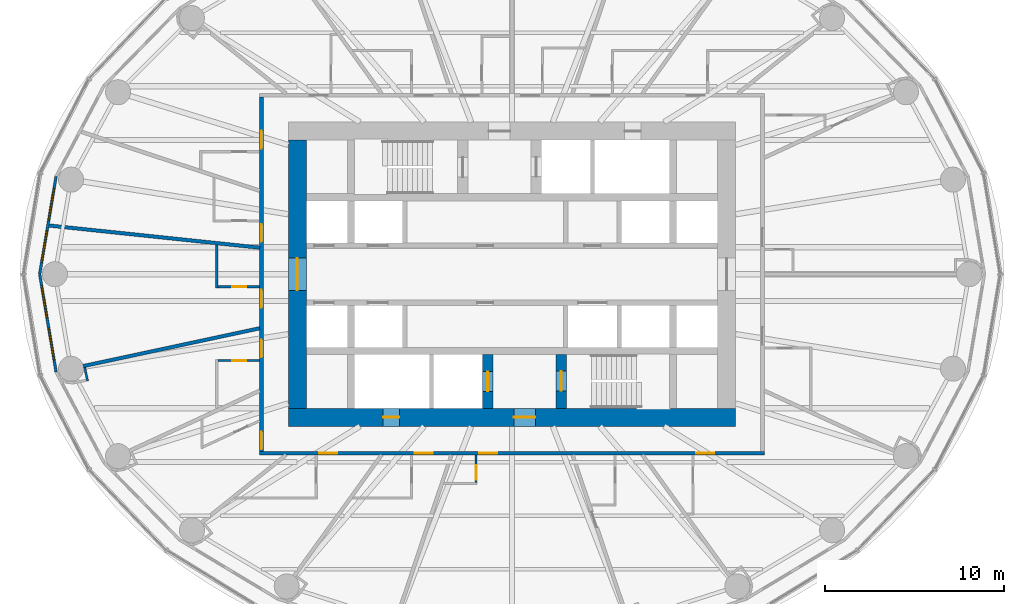
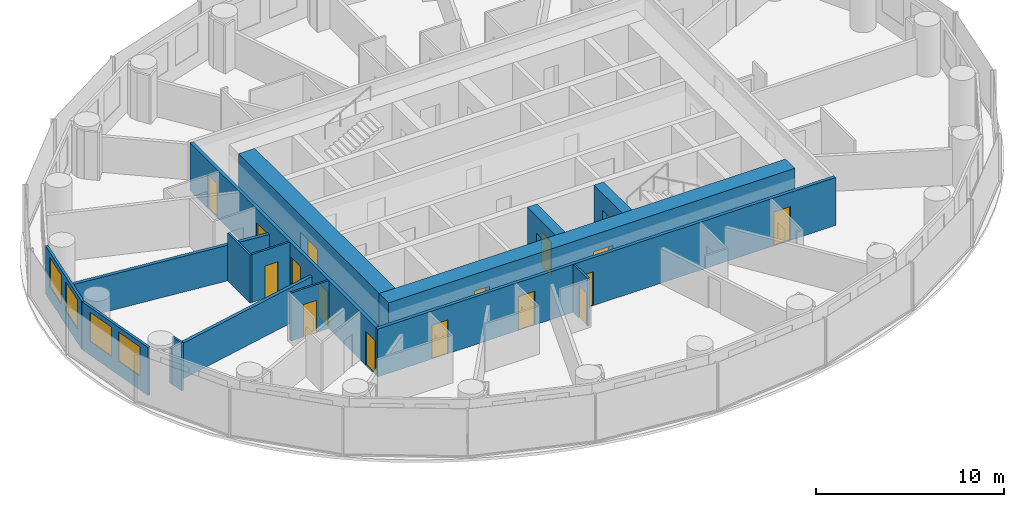
# One storey, part 7 of 13: 17 doors, 15 walls, 4 windows, 21 openings.
"""IFC4 building model written with IfcOpenShell, lengths in metres."""

from ifc_helpers import new_model, si_unit, direction, frame, frame_2d, origin, place, context, subcontext, project, spatial, rectangle, extrude, material, layer, layer_set, type_object, element, fill, save


model = new_model("IFC4")

# Units and contexts
model_context = context("Model", 3, precision=1e-05, world=origin(), true_north=direction((0.0, 1.0)))
body_context = subcontext(model_context, "Body", "Model", "MODEL_VIEW")
ifc_project = project(units=[si_unit("LENGTHUNIT", "METRE"), si_unit("AREAUNIT", "SQUARE_METRE"), si_unit("VOLUMEUNIT", "CUBIC_METRE"), si_unit("PLANEANGLEUNIT", "RADIAN"), si_unit("MASSUNIT", "GRAM", prefix="KILO")], contexts=[model_context])

# Site, building, storey
site_placement = place(None, origin())
site = spatial("IfcSite", under=ifc_project, at=site_placement, CompositionType="ELEMENT")
building_placement = place(site_placement, origin())
building = spatial("IfcBuilding", under=site, at=building_placement, Name="Hankou Lantern Tower", CompositionType="ELEMENT")
storey_placement = place(building_placement, frame((0.0, 0.0, 83.699951171875)))
storey = spatial("IfcBuildingStorey", under=building, at=storey_placement, Name="L21", CompositionType="ELEMENT", Elevation=83.699951171875)

# Wall, openings, doors
ifc_material_1 = material(Name="Concrete C60", Category="concrete")
ifc_layer_1 = layer(ifc_material_1, 1.0)
ifc_layer_set_1 = layer_set([ifc_layer_1], Name="Concrete C60")
wall_type_1 = type_object("IfcWallType", Name="CW1 CORE WALL 1000", PredefinedType="SHEAR", material=ifc_layer_set_1)
wall_1_placement = place(storey_placement, frame((12.5, -8.0, 0.0), z_axis=(0.0, 0.0, 1.0), x_axis=(-1.0, 0.0, 0.0)))
wall_1 = element("IfcWall", 1, at=wall_1_placement, inside=storey, type_object=wall_type_1, Name="Core wall south L21", PredefinedType="SHEAR", context=body_context, shape_type="SweptSolid", body=[
    extrude(rectangle(XDim=25.0, YDim=1.0, at=frame_2d((12.5, 0.0))), origin(), (0.0, 0.0, 1.0), 3.300048828125),
])
opening_1_placement = place(wall_1_placement, frame((11.199951171875, 0.0, 0.0)))
opening_1 = element("IfcOpeningElement", 2, at=opening_1_placement, cuts=wall_1, Name="Opening D5", PredefinedType="OPENING", context=body_context, shape_type="SweptSolid", body=[
    extrude(rectangle(XDim=1.199951171875, YDim=2.199951171875, at=frame_2d((0.60009765625, 1.10009765625))), frame((0.0, 0.510009765625, 0.0), z_axis=(0.0, -1.0, 0.0), x_axis=(1.0, 0.0, 0.0)), (0.0, 0.0, 1.0), 1.02001953125),
])
opening_2_placement = place(wall_1_placement, frame((18.800048828125, 0.0, 0.0)))
opening_2 = element("IfcOpeningElement", 3, at=opening_2_placement, cuts=wall_1, Name="Opening D7", PredefinedType="OPENING", context=body_context, shape_type="SweptSolid", body=[
    extrude(rectangle(XDim=0.89990234375, YDim=2.199951171875, at=frame_2d((0.449951171875, 1.10009765625))), frame((0.0, 0.510009765625, 0.0), z_axis=(0.0, -1.0, 0.0), x_axis=(1.0, 0.0, 0.0)), (0.0, 0.0, 1.0), 1.02001953125),
])
ifc_material_2 = material(Name="Steel door leaf", Category="steel")
door_type_1 = type_object("IfcDoorType", Name="D5 STAIR LOBBY DOOR 1200X2200", OperationType="SINGLE_SWING_LEFT", PredefinedType="DOOR", material=ifc_material_2)
door_1_placement = place(opening_1_placement, origin())
door_1 = element("IfcDoor", 4, at=door_1_placement, inside=storey, type_object=door_type_1, Name="Stair B lobby door", OperationType="SINGLE_SWING_LEFT", OverallHeight=2.199951171875, OverallWidth=1.199951171875, PredefinedType="DOOR", context=body_context, shape_type="SweptSolid", body=[
    extrude(rectangle(XDim=1.199951171875, YDim=2.199951171875, at=frame_2d((0.60009765625, 1.10009765625))), frame((0.0, 0.02490234375, 0.0), z_axis=(0.0, -1.0, 0.0), x_axis=(1.0, 0.0, 0.0)), (0.0, 0.0, 1.0), 0.050048828125),
])
fill(opening_1, door_1)
ifc_material_3 = material(Name="Steel door leaf", Category="steel")
door_type_2 = type_object("IfcDoorType", Name="D7 RISER DOOR 900X2200", OperationType="SINGLE_SWING_LEFT", PredefinedType="DOOR", material=ifc_material_3)
door_2_placement = place(opening_2_placement, origin())
door_2 = element("IfcDoor", 5, at=door_2_placement, inside=storey, type_object=door_type_2, Name="Riser S1 door", OperationType="SINGLE_SWING_RIGHT", OverallHeight=2.199951171875, OverallWidth=0.89990234375, PredefinedType="DOOR", context=body_context, shape_type="SweptSolid", body=[
    extrude(rectangle(XDim=0.89990234375, YDim=2.199951171875, at=frame_2d((0.449951171875, 1.10009765625))), frame((0.0, 0.02490234375, 0.0), z_axis=(0.0, -1.0, 0.0), x_axis=(1.0, 0.0, 0.0)), (0.0, 0.0, 1.0), 0.050048828125),
])
fill(opening_2, door_2)

# Wall, opening, door
wall_2_placement = place(storey_placement, frame((-12.0, 7.5, 0.0), z_axis=(0.0, 0.0, 1.0), x_axis=(0.0, -1.0, 0.0)))
wall_2 = element("IfcWall", 6, at=wall_2_placement, inside=storey, type_object=wall_type_1, Name="Core wall west L21", PredefinedType="SHEAR", context=body_context, shape_type="SweptSolid", body=[
    extrude(rectangle(XDim=15.0, YDim=1.0, at=frame_2d((7.5, 0.0))), origin(), (0.0, 0.0, 1.0), 3.300048828125),
])
opening_3_placement = place(wall_2_placement, frame((6.60009765625, 0.0, 0.0)))
opening_3 = element("IfcOpeningElement", 7, at=opening_3_placement, cuts=wall_2, Name="Opening D6", PredefinedType="OPENING", context=body_context, shape_type="SweptSolid", body=[
    extrude(rectangle(XDim=1.800048828125, YDim=2.199951171875, at=frame_2d((0.89990234375, 1.10009765625))), frame((0.0, 0.510009765625, 0.0), z_axis=(0.0, -1.0, 0.0), x_axis=(1.0, 0.0, 0.0)), (0.0, 0.0, 1.0), 1.02001953125),
])
ifc_material_4 = material(Name="Steel door leaf", Category="steel")
door_type_3 = type_object("IfcDoorType", Name="D6 LIFT LOBBY DOOR 1800X2200", OperationType="DOUBLE_DOOR_DOUBLE_SWING", PredefinedType="DOOR", material=ifc_material_4)
door_3_placement = place(opening_3_placement, origin())
door_3 = element("IfcDoor", 8, at=door_3_placement, inside=storey, type_object=door_type_3, Name="Lift lobby west door", OperationType="DOUBLE_DOOR_DOUBLE_SWING", OverallHeight=2.199951171875, OverallWidth=1.800048828125, PredefinedType="DOOR", context=body_context, shape_type="SweptSolid", body=[
    extrude(rectangle(XDim=1.800048828125, YDim=2.199951171875, at=frame_2d((0.89990234375, 1.10009765625))), frame((0.0, 0.02490234375, 0.0), z_axis=(0.0, -1.0, 0.0), x_axis=(1.0, 0.0, 0.0)), (0.0, 0.0, 1.0), 0.050048828125),
])
fill(opening_3, door_3)

ifc_material_5 = material(Name="Concrete C60", Category="concrete")
ifc_layer_2 = layer(ifc_material_5, 0.60009765625)
ifc_layer_set_2 = layer_set([ifc_layer_2], Name="Concrete C60")
wall_type_2 = type_object("IfcWallType", Name="CW6 STAIR AND SHAFT WALL 600", PredefinedType="SHEAR", material=ifc_layer_set_2)
wall_3_placement = place(storey_placement, frame((2.75, -7.5, 0.0), z_axis=(0.0, 0.0, 1.0), x_axis=(0.0, 1.0, 0.0)))
wall_3 = element("IfcWall", 9, at=wall_3_placement, inside=storey, type_object=wall_type_2, Name="Stair wall L21", PredefinedType="SHEAR", context=body_context, shape_type="SweptSolid", body=[
    extrude(rectangle(XDim=3.0, YDim=0.60009765625, at=frame_2d((1.5, 0.0))), origin(), (0.0, 0.0, 1.0), 3.300048828125),
])
opening_4_placement = place(wall_3_placement, frame((0.97509765625, 0.0, 0.0)))
opening_4 = element("IfcOpeningElement", 10, at=opening_4_placement, cuts=wall_3, Name="Opening D4", PredefinedType="OPENING", context=body_context, shape_type="SweptSolid", body=[
    extrude(rectangle(XDim=1.10009765625, YDim=2.199951171875, at=frame_2d((0.550048828125, 1.10009765625))), frame((0.0, 0.31005859375, 0.0), z_axis=(0.0, -1.0, 0.0), x_axis=(1.0, 0.0, 0.0)), (0.0, 0.0, 1.0), 0.6201171875),
])
ifc_material_6 = material(Name="Steel door leaf", Category="steel")
door_type_4 = type_object("IfcDoorType", Name="D4 STAIR DOOR 1100X2200", OperationType="SINGLE_SWING_LEFT", PredefinedType="DOOR", material=ifc_material_6)
door_4_placement = place(opening_4_placement, origin())
door_4 = element("IfcDoor", 11, at=door_4_placement, inside=storey, type_object=door_type_4, Name="Stair B door", OperationType="SINGLE_SWING_RIGHT", OverallHeight=2.199951171875, OverallWidth=1.10009765625, PredefinedType="DOOR", context=body_context, shape_type="SweptSolid", body=[
    extrude(rectangle(XDim=1.10009765625, YDim=2.199951171875, at=frame_2d((0.550048828125, 1.10009765625))), frame((0.0, 0.02490234375, 0.0), z_axis=(0.0, -1.0, 0.0), x_axis=(1.0, 0.0, 0.0)), (0.0, 0.0, 1.0), 0.050048828125),
])
fill(opening_4, door_4)

wall_4_placement = place(storey_placement, frame((-1.35009765625, -7.5, 0.0), z_axis=(0.0, 0.0, 1.0), x_axis=(0.0, 1.0, 0.0)))
wall_4 = element("IfcWall", 12, at=wall_4_placement, inside=storey, type_object=wall_type_2, Name="Firefighting lift shaft wall L21", PredefinedType="SHEAR", context=body_context, shape_type="SweptSolid", body=[
    extrude(rectangle(XDim=3.0, YDim=0.60009765625, at=frame_2d((1.5, 0.0))), origin(), (0.0, 0.0, 1.0), 3.300048828125),
])
opening_5_placement = place(wall_4_placement, frame((0.949951171875, 0.0, 0.0)))
opening_5 = element("IfcOpeningElement", 13, at=opening_5_placement, cuts=wall_4, Name="Opening LD2", PredefinedType="OPENING", context=body_context, shape_type="SweptSolid", body=[
    extrude(rectangle(XDim=1.10009765625, YDim=2.199951171875, at=frame_2d((0.550048828125, 1.10009765625))), frame((0.0, 0.31005859375, 0.0), z_axis=(0.0, -1.0, 0.0), x_axis=(1.0, 0.0, 0.0)), (0.0, 0.0, 1.0), 0.6201171875),
])
ifc_material_7 = material(Name="Steel door leaf", Category="steel")
door_type_5 = type_object("IfcDoorType", Name="LD2 FIREFIGHTING LIFT LANDING DOOR 1100X2200", OperationType="DOUBLE_DOOR_SLIDING", PredefinedType="DOOR", material=ifc_material_7)
door_5_placement = place(opening_5_placement, origin())
door_5 = element("IfcDoor", 14, at=door_5_placement, inside=storey, type_object=door_type_5, Name="Firefighting lift FL2 landing door", OperationType="DOUBLE_DOOR_SLIDING", OverallHeight=2.199951171875, OverallWidth=1.10009765625, PredefinedType="DOOR", context=body_context, shape_type="SweptSolid", body=[
    extrude(rectangle(XDim=1.10009765625, YDim=2.199951171875, at=frame_2d((0.550048828125, 1.10009765625))), frame((0.0, 0.02490234375, 0.0), z_axis=(0.0, -1.0, 0.0), x_axis=(1.0, 0.0, 0.0)), (0.0, 0.0, 1.0), 0.050048828125),
])
fill(opening_5, door_5)

# Wall, openings, windows
ifc_material_8 = material(Name="Aluminium spandrel panel on steel studs", Category="steel")
ifc_layer_3 = layer(ifc_material_8, 0.14990234375)
ifc_layer_set_3 = layer_set([ifc_layer_3], Name="Aluminium spandrel panel on steel studs")
wall_type_3 = type_object("IfcWallType", Name="EW1 INNER SKIN WALL 150", PredefinedType="ELEMENTEDWALL", material=ifc_layer_set_3)
wall_5_placement = place(storey_placement, frame((-25.482421875, 5.46240234375, 0.0), z_axis=(0.0, 0.0, 1.0), x_axis=(-0.165642551694, -0.986185857264, 0.0)))
wall_5 = element("IfcWall", 15, at=wall_5_placement, inside=storey, type_object=wall_type_3, Name="Inner skin R12-R13 L21", PredefinedType="ELEMENTEDWALL", context=body_context, shape_type="SweptSolid", body=[
    extrude(rectangle(XDim=5.538818359375, YDim=0.14990234375, at=frame_2d((2.76953125, 0.0))), origin(), (0.0, 0.0, 1.0), 3.1201171875),
])
opening_6_placement = place(wall_5_placement, frame((0.66943359375, 0.0, 0.89990234375)))
opening_6 = element("IfcOpeningElement", 16, at=opening_6_placement, cuts=wall_5, Name="Opening W1", PredefinedType="OPENING", context=body_context, shape_type="SweptSolid", body=[
    extrude(rectangle(XDim=1.800048828125, YDim=1.89990234375, at=frame_2d((0.89990234375, 0.949951171875))), frame((0.0, 0.0849609375, 0.0), z_axis=(0.0, -1.0, 0.0), x_axis=(1.0, 0.0, 0.0)), (0.0, 0.0, 1.0), 0.169921875),
])
opening_7_placement = place(wall_5_placement, frame((3.069580078125, 0.0, 0.89990234375)))
opening_7 = element("IfcOpeningElement", 17, at=opening_7_placement, cuts=wall_5, Name="Opening W1", PredefinedType="OPENING", context=body_context, shape_type="SweptSolid", body=[
    extrude(rectangle(XDim=1.800048828125, YDim=1.89990234375, at=frame_2d((0.89990234375, 0.949951171875))), frame((0.0, 0.0849609375, 0.0), z_axis=(0.0, -1.0, 0.0), x_axis=(1.0, 0.0, 0.0)), (0.0, 0.0, 1.0), 0.169921875),
])
ifc_material_9 = material(Name="Aluminium framed double glazed window", Category="aluminium")
window_type = type_object("IfcWindowType", Name="W1 GUEST ROOM WINDOW 1800X1900", PartitioningType="DOUBLE_PANEL_VERTICAL", PredefinedType="WINDOW", material=ifc_material_9)
window_1_placement = place(opening_6_placement, origin())
window_1 = element("IfcWindow", 18, at=window_1_placement, inside=storey, type_object=window_type, Name="Window R12.1 L21", OverallHeight=1.89990234375, OverallWidth=1.800048828125, PartitioningType="SINGLE_PANEL", PredefinedType="WINDOW", context=body_context, shape_type="SweptSolid", body=[
    extrude(rectangle(XDim=1.800048828125, YDim=1.89990234375, at=frame_2d((0.89990234375, 0.949951171875))), frame((0.0, 0.030029296875, 0.0), z_axis=(0.0, -1.0, 0.0), x_axis=(1.0, 0.0, 0.0)), (0.0, 0.0, 1.0), 0.06005859375),
])
fill(opening_6, window_1)
window_2_placement = place(opening_7_placement, origin())
window_2 = element("IfcWindow", 19, at=window_2_placement, inside=storey, type_object=window_type, Name="Window R12.2 L21", OverallHeight=1.89990234375, OverallWidth=1.800048828125, PartitioningType="SINGLE_PANEL", PredefinedType="WINDOW", context=body_context, shape_type="SweptSolid", body=[
    extrude(rectangle(XDim=1.800048828125, YDim=1.89990234375, at=frame_2d((0.89990234375, 0.949951171875))), frame((0.0, 0.030029296875, 0.0), z_axis=(0.0, -1.0, 0.0), x_axis=(1.0, 0.0, 0.0)), (0.0, 0.0, 1.0), 0.06005859375),
])
fill(opening_7, window_2)

wall_6_placement = place(storey_placement, frame((-26.39990234375, 0.0, 0.0), z_axis=(0.0, 0.0, 1.0), x_axis=(0.165642551694, -0.986185857264, 0.0)))
wall_6 = element("IfcWall", 20, at=wall_6_placement, inside=storey, type_object=wall_type_3, Name="Inner skin R13-R14 L21", PredefinedType="ELEMENTEDWALL", context=body_context, shape_type="SweptSolid", body=[
    extrude(rectangle(XDim=5.538818359375, YDim=0.14990234375, at=frame_2d((2.76953125, 0.0))), origin(), (0.0, 0.0, 1.0), 3.1201171875),
])
opening_8_placement = place(wall_6_placement, frame((0.66943359375, 0.0, 0.89990234375)))
opening_8 = element("IfcOpeningElement", 21, at=opening_8_placement, cuts=wall_6, Name="Opening W1", PredefinedType="OPENING", context=body_context, shape_type="SweptSolid", body=[
    extrude(rectangle(XDim=1.800048828125, YDim=1.89990234375, at=frame_2d((0.89990234375, 0.949951171875))), frame((0.0, 0.0849609375, 0.0), z_axis=(0.0, -1.0, 0.0), x_axis=(1.0, 0.0, 0.0)), (0.0, 0.0, 1.0), 0.169921875),
])
opening_9_placement = place(wall_6_placement, frame((3.069580078125, 0.0, 0.89990234375)))
opening_9 = element("IfcOpeningElement", 22, at=opening_9_placement, cuts=wall_6, Name="Opening W1", PredefinedType="OPENING", context=body_context, shape_type="SweptSolid", body=[
    extrude(rectangle(XDim=1.800048828125, YDim=1.89990234375, at=frame_2d((0.89990234375, 0.949951171875))), frame((0.0, 0.0849609375, 0.0), z_axis=(0.0, -1.0, 0.0), x_axis=(1.0, 0.0, 0.0)), (0.0, 0.0, 1.0), 0.169921875),
])
window_3_placement = place(opening_8_placement, origin())
window_3 = element("IfcWindow", 23, at=window_3_placement, inside=storey, type_object=window_type, Name="Window R13.1 L21", OverallHeight=1.89990234375, OverallWidth=1.800048828125, PartitioningType="SINGLE_PANEL", PredefinedType="WINDOW", context=body_context, shape_type="SweptSolid", body=[
    extrude(rectangle(XDim=1.800048828125, YDim=1.89990234375, at=frame_2d((0.89990234375, 0.949951171875))), frame((0.0, 0.030029296875, 0.0), z_axis=(0.0, -1.0, 0.0), x_axis=(1.0, 0.0, 0.0)), (0.0, 0.0, 1.0), 0.06005859375),
])
fill(opening_8, window_3)
window_4_placement = place(opening_9_placement, origin())
window_4 = element("IfcWindow", 24, at=window_4_placement, inside=storey, type_object=window_type, Name="Window R13.2 L21", OverallHeight=1.89990234375, OverallWidth=1.800048828125, PartitioningType="SINGLE_PANEL", PredefinedType="WINDOW", context=body_context, shape_type="SweptSolid", body=[
    extrude(rectangle(XDim=1.800048828125, YDim=1.89990234375, at=frame_2d((0.89990234375, 0.949951171875))), frame((0.0, 0.030029296875, 0.0), z_axis=(0.0, -1.0, 0.0), x_axis=(1.0, 0.0, 0.0)), (0.0, 0.0, 1.0), 0.06005859375),
])
fill(opening_9, window_4)

# Walls
ifc_material_10 = material(Name="Masonry lightweight concrete block", Category="masonry")
ifc_layer_4 = layer(ifc_material_10, 0.199951171875)
ifc_layer_set_4 = layer_set([ifc_layer_4], Name="Masonry lightweight concrete block")
wall_type_4 = type_object("IfcWallType", Name="IW1 GUEST ROOM PARTY WALL 200", PredefinedType="PARTITIONING", material=ifc_layer_set_4)
wall_7_placement = place(storey_placement, frame((-14.10009765625, 1.48193359375, 0.0), z_axis=(0.0, 0.0, 1.0), x_axis=(-0.994522076235, 0.104526742422, 0.0)))
element("IfcWall", 25, at=wall_7_placement, inside=storey, type_object=wall_type_4, Name="Party wall R12-R13", PredefinedType="PARTITIONING", context=body_context, shape_type="SweptSolid", body=[
    extrude(rectangle(XDim=11.82080078125, YDim=0.199951171875, at=frame_2d((5.910400390625, 0.0))), origin(), (0.0, 0.0, 1.0), 2.320068359375),
])
wall_8_placement = place(storey_placement, frame((-14.10009765625, -3.0224609375, 0.0), z_axis=(0.0, 0.0, 1.0), x_axis=(-0.977790014929, -0.209586943072, 0.0)))
element("IfcWall", 26, at=wall_8_placement, inside=storey, type_object=wall_type_4, Name="Party wall R14", PredefinedType="PARTITIONING", context=body_context, shape_type="SweptSolid", body=[
    extrude(rectangle(XDim=10.086669921875, YDim=0.199951171875, at=frame_2d((5.04345703125, 0.0))), origin(), (0.0, 0.0, 1.0), 2.320068359375),
])

# Wall, openings, doors
ifc_material_11 = material(Name="Masonry lightweight concrete block", Category="masonry")
ifc_layer_5 = layer(ifc_material_11, 0.199951171875)
ifc_layer_set_5 = layer_set([ifc_layer_5], Name="Masonry lightweight concrete block")
wall_type_5 = type_object("IfcWallType", Name="IW2 CORRIDOR WALL 200", PredefinedType="PARTITIONING", material=ifc_layer_set_5)
wall_9_placement = place(storey_placement, frame((14.10009765625, -10.0, 0.0), z_axis=(0.0, 0.0, 1.0), x_axis=(-1.0, 0.0, 0.0)))
wall_9 = element("IfcWall", 27, at=wall_9_placement, inside=storey, type_object=wall_type_5, Name="Corridor wall south", PredefinedType="PARTITIONING", context=body_context, shape_type="SweptSolid", body=[
    extrude(rectangle(XDim=28.2001953125, YDim=0.199951171875, at=frame_2d((14.10009765625, 0.0))), origin(), (0.0, 0.0, 1.0), 3.1201171875),
])
opening_10_placement = place(wall_9_placement, frame((23.864990234375, 0.0, 0.0)))
opening_10 = element("IfcOpeningElement", 28, at=opening_10_placement, cuts=wall_9, Name="Opening D1", PredefinedType="OPENING", context=body_context, shape_type="SweptSolid", body=[
    extrude(rectangle(XDim=1.0, YDim=2.199951171875, at=frame_2d((0.5, 1.10009765625))), frame((0.0, 0.10986328125, 0.0), z_axis=(0.0, -1.0, 0.0), x_axis=(1.0, 0.0, 0.0)), (0.0, 0.0, 1.0), 0.219970703125),
])
opening_11_placement = place(wall_9_placement, frame((18.529052734375, 0.0, 0.0)))
opening_11 = element("IfcOpeningElement", 29, at=opening_11_placement, cuts=wall_9, Name="Opening D1", PredefinedType="OPENING", context=body_context, shape_type="SweptSolid", body=[
    extrude(rectangle(XDim=1.0, YDim=2.199951171875, at=frame_2d((0.5, 1.10009765625))), frame((0.0, 0.10986328125, 0.0), z_axis=(0.0, -1.0, 0.0), x_axis=(1.0, 0.0, 0.0)), (0.0, 0.0, 1.0), 0.219970703125),
])
opening_12_placement = place(wall_9_placement, frame((14.9228515625, 0.0, 0.0)))
opening_12 = element("IfcOpeningElement", 30, at=opening_12_placement, cuts=wall_9, Name="Opening D2", PredefinedType="OPENING", context=body_context, shape_type="SweptSolid", body=[
    extrude(rectangle(XDim=1.0, YDim=2.199951171875, at=frame_2d((0.5, 1.10009765625))), frame((0.0, 0.10986328125, 0.0), z_axis=(0.0, -1.0, 0.0), x_axis=(1.0, 0.0, 0.0)), (0.0, 0.0, 1.0), 0.219970703125),
])
opening_13_placement = place(wall_9_placement, frame((2.801025390625, 0.0, 0.0)))
opening_13 = element("IfcOpeningElement", 31, at=opening_13_placement, cuts=wall_9, Name="Opening D2", PredefinedType="OPENING", context=body_context, shape_type="SweptSolid", body=[
    extrude(rectangle(XDim=1.0, YDim=2.199951171875, at=frame_2d((0.5, 1.10009765625))), frame((0.0, 0.10986328125, 0.0), z_axis=(0.0, -1.0, 0.0), x_axis=(1.0, 0.0, 0.0)), (0.0, 0.0, 1.0), 0.219970703125),
])
ifc_material_12 = material(Name="Steel door leaf", Category="steel")
door_type_6 = type_object("IfcDoorType", Name="D1 GUEST ROOM DOOR 1000X2200", OperationType="SINGLE_SWING_LEFT", PredefinedType="DOOR", material=ifc_material_12)
door_6_placement = place(opening_10_placement, origin())
door_6 = element("IfcDoor", 32, at=door_6_placement, inside=storey, type_object=door_type_6, Name="Guest room door 2105", OperationType="SINGLE_SWING_RIGHT", OverallHeight=2.199951171875, OverallWidth=1.0, PredefinedType="DOOR", context=body_context, shape_type="SweptSolid", body=[
    extrude(rectangle(XDim=1.0, YDim=2.199951171875, at=frame_2d((0.5, 1.10009765625))), frame((0.0, 0.02490234375, 0.0), z_axis=(0.0, -1.0, 0.0), x_axis=(1.0, 0.0, 0.0)), (0.0, 0.0, 1.0), 0.050048828125),
])
fill(opening_10, door_6)
door_7_placement = place(opening_11_placement, origin())
door_7 = element("IfcDoor", 33, at=door_7_placement, inside=storey, type_object=door_type_6, Name="Guest room door 2106", OperationType="SINGLE_SWING_RIGHT", OverallHeight=2.199951171875, OverallWidth=1.0, PredefinedType="DOOR", context=body_context, shape_type="SweptSolid", body=[
    extrude(rectangle(XDim=1.0, YDim=2.199951171875, at=frame_2d((0.5, 1.10009765625))), frame((0.0, 0.02490234375, 0.0), z_axis=(0.0, -1.0, 0.0), x_axis=(1.0, 0.0, 0.0)), (0.0, 0.0, 1.0), 0.050048828125),
])
fill(opening_11, door_7)
ifc_material_13 = material(Name="Steel door leaf", Category="steel")
door_type_7 = type_object("IfcDoorType", Name="D2 SUITE DOOR 1000X2200", OperationType="SINGLE_SWING_LEFT", PredefinedType="DOOR", material=ifc_material_13)
door_8_placement = place(opening_12_placement, origin())
door_8 = element("IfcDoor", 34, at=door_8_placement, inside=storey, type_object=door_type_7, Name="Suite door 2107C", OperationType="SINGLE_SWING_RIGHT", OverallHeight=2.199951171875, OverallWidth=1.0, PredefinedType="DOOR", context=body_context, shape_type="SweptSolid", body=[
    extrude(rectangle(XDim=1.0, YDim=2.199951171875, at=frame_2d((0.5, 1.10009765625))), frame((0.0, 0.02490234375, 0.0), z_axis=(0.0, -1.0, 0.0), x_axis=(1.0, 0.0, 0.0)), (0.0, 0.0, 1.0), 0.050048828125),
])
fill(opening_12, door_8)
door_9_placement = place(opening_13_placement, origin())
door_9 = element("IfcDoor", 35, at=door_9_placement, inside=storey, type_object=door_type_7, Name="Suite door 2108", OperationType="SINGLE_SWING_RIGHT", OverallHeight=2.199951171875, OverallWidth=1.0, PredefinedType="DOOR", context=body_context, shape_type="SweptSolid", body=[
    extrude(rectangle(XDim=1.0, YDim=2.199951171875, at=frame_2d((0.5, 1.10009765625))), frame((0.0, 0.02490234375, 0.0), z_axis=(0.0, -1.0, 0.0), x_axis=(1.0, 0.0, 0.0)), (0.0, 0.0, 1.0), 0.050048828125),
])
fill(opening_13, door_9)

wall_10_placement = place(storey_placement, frame((-14.0, 9.89990234375, 0.0), z_axis=(0.0, 0.0, 1.0), x_axis=(0.0, -1.0, 0.0)))
wall_10 = element("IfcWall", 36, at=wall_10_placement, inside=storey, type_object=wall_type_5, Name="Corridor wall west", PredefinedType="PARTITIONING", context=body_context, shape_type="SweptSolid", body=[
    extrude(rectangle(XDim=19.7998046875, YDim=0.199951171875, at=frame_2d((9.89990234375, 0.0))), origin(), (0.0, 0.0, 1.0), 3.1201171875),
])
opening_14_placement = place(wall_10_placement, frame((7.096923828125, 0.0, 0.0)))
opening_14 = element("IfcOpeningElement", 37, at=opening_14_placement, cuts=wall_10, Name="Opening D1", PredefinedType="OPENING", context=body_context, shape_type="SweptSolid", body=[
    extrude(rectangle(XDim=1.0, YDim=2.199951171875, at=frame_2d((0.5, 1.10009765625))), frame((0.0, 0.10986328125, 0.0), z_axis=(0.0, -1.0, 0.0), x_axis=(1.0, 0.0, 0.0)), (0.0, 0.0, 1.0), 0.219970703125),
])
opening_15_placement = place(wall_10_placement, frame((10.778076171875, 0.0, 0.0)))
opening_15 = element("IfcOpeningElement", 38, at=opening_15_placement, cuts=wall_10, Name="Opening D1", PredefinedType="OPENING", context=body_context, shape_type="SweptSolid", body=[
    extrude(rectangle(XDim=1.0, YDim=2.199951171875, at=frame_2d((0.5, 1.10009765625))), frame((0.0, 0.10986328125, 0.0), z_axis=(0.0, -1.0, 0.0), x_axis=(1.0, 0.0, 0.0)), (0.0, 0.0, 1.0), 0.219970703125),
])
opening_16_placement = place(wall_10_placement, frame((13.552490234375, 0.0, 0.0)))
opening_16 = element("IfcOpeningElement", 39, at=opening_16_placement, cuts=wall_10, Name="Opening D1", PredefinedType="OPENING", context=body_context, shape_type="SweptSolid", body=[
    extrude(rectangle(XDim=1.0, YDim=2.199951171875, at=frame_2d((0.5, 1.10009765625))), frame((0.0, 0.10986328125, 0.0), z_axis=(0.0, -1.0, 0.0), x_axis=(1.0, 0.0, 0.0)), (0.0, 0.0, 1.0), 0.219970703125),
])
opening_17_placement = place(wall_10_placement, frame((18.697509765625, 0.0, 0.0)))
opening_17 = element("IfcOpeningElement", 40, at=opening_17_placement, cuts=wall_10, Name="Opening D1", PredefinedType="OPENING", context=body_context, shape_type="SweptSolid", body=[
    extrude(rectangle(XDim=1.0, YDim=2.199951171875, at=frame_2d((0.5, 1.10009765625))), frame((0.0, 0.10986328125, 0.0), z_axis=(0.0, -1.0, 0.0), x_axis=(1.0, 0.0, 0.0)), (0.0, 0.0, 1.0), 0.219970703125),
])
opening_18_placement = place(wall_10_placement, frame((1.876953125, 0.0, 0.0)))
opening_18 = element("IfcOpeningElement", 41, at=opening_18_placement, cuts=wall_10, Name="Opening D1", PredefinedType="OPENING", context=body_context, shape_type="SweptSolid", body=[
    extrude(rectangle(XDim=1.0, YDim=2.199951171875, at=frame_2d((0.5, 1.10009765625))), frame((0.0, 0.10986328125, 0.0), z_axis=(0.0, -1.0, 0.0), x_axis=(1.0, 0.0, 0.0)), (0.0, 0.0, 1.0), 0.219970703125),
])
door_10_placement = place(opening_14_placement, origin())
door_10 = element("IfcDoor", 42, at=door_10_placement, inside=storey, type_object=door_type_6, Name="Guest room door 2101", OperationType="SINGLE_SWING_LEFT", OverallHeight=2.199951171875, OverallWidth=1.0, PredefinedType="DOOR", context=body_context, shape_type="SweptSolid", body=[
    extrude(rectangle(XDim=1.0, YDim=2.199951171875, at=frame_2d((0.5, 1.10009765625))), frame((0.0, 0.02490234375, 0.0), z_axis=(0.0, -1.0, 0.0), x_axis=(1.0, 0.0, 0.0)), (0.0, 0.0, 1.0), 0.050048828125),
])
fill(opening_14, door_10)
door_11_placement = place(opening_15_placement, origin())
door_11 = element("IfcDoor", 43, at=door_11_placement, inside=storey, type_object=door_type_6, Name="Guest room door 2102", OperationType="SINGLE_SWING_RIGHT", OverallHeight=2.199951171875, OverallWidth=1.0, PredefinedType="DOOR", context=body_context, shape_type="SweptSolid", body=[
    extrude(rectangle(XDim=1.0, YDim=2.199951171875, at=frame_2d((0.5, 1.10009765625))), frame((0.0, 0.02490234375, 0.0), z_axis=(0.0, -1.0, 0.0), x_axis=(1.0, 0.0, 0.0)), (0.0, 0.0, 1.0), 0.050048828125),
])
fill(opening_15, door_11)
door_12_placement = place(opening_16_placement, origin())
door_12 = element("IfcDoor", 44, at=door_12_placement, inside=storey, type_object=door_type_6, Name="Guest room door 2103", OperationType="SINGLE_SWING_RIGHT", OverallHeight=2.199951171875, OverallWidth=1.0, PredefinedType="DOOR", context=body_context, shape_type="SweptSolid", body=[
    extrude(rectangle(XDim=1.0, YDim=2.199951171875, at=frame_2d((0.5, 1.10009765625))), frame((0.0, 0.02490234375, 0.0), z_axis=(0.0, -1.0, 0.0), x_axis=(1.0, 0.0, 0.0)), (0.0, 0.0, 1.0), 0.050048828125),
])
fill(opening_16, door_12)
door_13_placement = place(opening_17_placement, origin())
door_13 = element("IfcDoor", 45, at=door_13_placement, inside=storey, type_object=door_type_6, Name="Guest room door 2104", OperationType="SINGLE_SWING_RIGHT", OverallHeight=2.199951171875, OverallWidth=1.0, PredefinedType="DOOR", context=body_context, shape_type="SweptSolid", body=[
    extrude(rectangle(XDim=1.0, YDim=2.199951171875, at=frame_2d((0.5, 1.10009765625))), frame((0.0, 0.02490234375, 0.0), z_axis=(0.0, -1.0, 0.0), x_axis=(1.0, 0.0, 0.0)), (0.0, 0.0, 1.0), 0.050048828125),
])
fill(opening_17, door_13)
door_14_placement = place(opening_18_placement, origin())
door_14 = element("IfcDoor", 46, at=door_14_placement, inside=storey, type_object=door_type_6, Name="Guest room door 2117", OperationType="SINGLE_SWING_LEFT", OverallHeight=2.199951171875, OverallWidth=1.0, PredefinedType="DOOR", context=body_context, shape_type="SweptSolid", body=[
    extrude(rectangle(XDim=1.0, YDim=2.199951171875, at=frame_2d((0.5, 1.10009765625))), frame((0.0, 0.02490234375, 0.0), z_axis=(0.0, -1.0, 0.0), x_axis=(1.0, 0.0, 0.0)), (0.0, 0.0, 1.0), 0.050048828125),
])
fill(opening_18, door_14)

# Wall
ifc_material_14 = material(Name="Masonry lightweight concrete block", Category="masonry")
ifc_layer_6 = layer(ifc_material_14, 0.1201171875)
ifc_layer_set_6 = layer_set([ifc_layer_6], Name="Masonry lightweight concrete block")
wall_type_6 = type_object("IfcWallType", Name="IW3 BATHROOM WALL 120", PredefinedType="PARTITIONING", material=ifc_layer_set_6)
wall_11_placement = place(storey_placement, frame((-16.5, 1.63427734375, 0.0), z_axis=(0.0, 0.0, 1.0), x_axis=(0.0, -1.0, 0.0)))
element("IfcWall", 47, at=wall_11_placement, inside=storey, type_object=wall_type_6, Name="Box wall 2102 1", PredefinedType="PARTITIONING", context=body_context, shape_type="SweptSolid", body=[
    extrude(rectangle(XDim=2.392333984375, YDim=0.1201171875, at=frame_2d((1.1962890625, 0.0))), origin(), (0.0, 0.0, 1.0), 3.1201171875),
])

# Wall, opening, door
wall_12_placement = place(storey_placement, frame((-14.10009765625, -0.697998046875, 0.0), z_axis=(0.0, 0.0, 1.0), x_axis=(-1.0, 0.0, 0.0)))
wall_12 = element("IfcWall", 48, at=wall_12_placement, inside=storey, type_object=wall_type_6, Name="Box wall 2102 1", PredefinedType="PARTITIONING", context=body_context, shape_type="SweptSolid", body=[
    extrude(rectangle(XDim=2.33984375, YDim=0.1201171875, at=frame_2d((1.169921875, 0.0))), origin(), (0.0, 0.0, 1.0), 3.1201171875),
])
opening_19_placement = place(wall_12_placement, frame((0.75, 0.0, 0.0)))
opening_19 = element("IfcOpeningElement", 49, at=opening_19_placement, cuts=wall_12, Name="Opening D3", PredefinedType="OPENING", context=body_context, shape_type="SweptSolid", body=[
    extrude(rectangle(XDim=0.800048828125, YDim=2.10009765625, at=frame_2d((0.39990234375, 1.050048828125))), frame((0.0, 0.070068359375, 0.0), z_axis=(0.0, -1.0, 0.0), x_axis=(1.0, 0.0, 0.0)), (0.0, 0.0, 1.0), 0.14013671875),
])
ifc_material_15 = material(Name="Timber door leaf", Category="wood")
door_type_8 = type_object("IfcDoorType", Name="D3 BATHROOM DOOR 800X2100", OperationType="SINGLE_SWING_LEFT", PredefinedType="DOOR", material=ifc_material_15)
door_15_placement = place(opening_19_placement, origin())
door_15 = element("IfcDoor", 50, at=door_15_placement, inside=storey, type_object=door_type_8, Name="En-suite bathroom 2102 door", OperationType="SINGLE_SWING_LEFT", OverallHeight=2.10009765625, OverallWidth=0.800048828125, PredefinedType="DOOR", context=body_context, shape_type="SweptSolid", body=[
    extrude(rectangle(XDim=0.800048828125, YDim=2.10009765625, at=frame_2d((0.39990234375, 1.050048828125))), frame((0.0, 0.02490234375, 0.0), z_axis=(0.0, -1.0, 0.0), x_axis=(1.0, 0.0, 0.0)), (0.0, 0.0, 1.0), 0.050048828125),
])
fill(opening_19, door_15)

wall_13_placement = place(storey_placement, frame((-14.10009765625, -4.83251953125, 0.0), z_axis=(0.0, 0.0, 1.0), x_axis=(-1.0, 0.0, 0.0)))
wall_13 = element("IfcWall", 51, at=wall_13_placement, inside=storey, type_object=wall_type_6, Name="Box wall 2103 1", PredefinedType="PARTITIONING", context=body_context, shape_type="SweptSolid", body=[
    extrude(rectangle(XDim=2.33984375, YDim=0.1201171875, at=frame_2d((1.169921875, 0.0))), origin(), (0.0, 0.0, 1.0), 3.1201171875),
])
opening_20_placement = place(wall_13_placement, frame((0.75, 0.0, 0.0)))
opening_20 = element("IfcOpeningElement", 52, at=opening_20_placement, cuts=wall_13, Name="Opening D3", PredefinedType="OPENING", context=body_context, shape_type="SweptSolid", body=[
    extrude(rectangle(XDim=0.800048828125, YDim=2.10009765625, at=frame_2d((0.39990234375, 1.050048828125))), frame((0.0, 0.070068359375, 0.0), z_axis=(0.0, -1.0, 0.0), x_axis=(1.0, 0.0, 0.0)), (0.0, 0.0, 1.0), 0.14013671875),
])
door_16_placement = place(opening_20_placement, origin())
door_16 = element("IfcDoor", 53, at=door_16_placement, inside=storey, type_object=door_type_8, Name="En-suite bathroom 2103 door", OperationType="SINGLE_SWING_LEFT", OverallHeight=2.10009765625, OverallWidth=0.800048828125, PredefinedType="DOOR", context=body_context, shape_type="SweptSolid", body=[
    extrude(rectangle(XDim=0.800048828125, YDim=2.10009765625, at=frame_2d((0.39990234375, 1.050048828125))), frame((0.0, 0.02490234375, 0.0), z_axis=(0.0, -1.0, 0.0), x_axis=(1.0, 0.0, 0.0)), (0.0, 0.0, 1.0), 0.050048828125),
])
fill(opening_20, door_16)

wall_14_placement = place(storey_placement, frame((-2.0029296875, -10.10009765625, 0.0), z_axis=(0.0, 0.0, 1.0), x_axis=(0.0, -1.0, 0.0)))
wall_14 = element("IfcWall", 54, at=wall_14_placement, inside=storey, type_object=wall_type_6, Name="Box wall 2107C 1", PredefinedType="PARTITIONING", context=body_context, shape_type="SweptSolid", body=[
    extrude(rectangle(XDim=1.539794921875, YDim=0.1201171875, at=frame_2d((0.77001953125, 0.0))), origin(), (0.0, 0.0, 1.0), 3.1201171875),
])
opening_21_placement = place(wall_14_placement, frame((0.590087890625, 0.0, 0.0)))
opening_21 = element("IfcOpeningElement", 55, at=opening_21_placement, cuts=wall_14, Name="Opening D3", PredefinedType="OPENING", context=body_context, shape_type="SweptSolid", body=[
    extrude(rectangle(XDim=0.800048828125, YDim=2.10009765625, at=frame_2d((0.39990234375, 1.050048828125))), frame((0.0, 0.070068359375, 0.0), z_axis=(0.0, -1.0, 0.0), x_axis=(1.0, 0.0, 0.0)), (0.0, 0.0, 1.0), 0.14013671875),
])
door_17_placement = place(opening_21_placement, origin())
door_17 = element("IfcDoor", 56, at=door_17_placement, inside=storey, type_object=door_type_8, Name="Corner suite 2107 guest WC door", OperationType="SINGLE_SWING_LEFT", OverallHeight=2.10009765625, OverallWidth=0.800048828125, PredefinedType="DOOR", context=body_context, shape_type="SweptSolid", body=[
    extrude(rectangle(XDim=0.800048828125, YDim=2.10009765625, at=frame_2d((0.39990234375, 1.050048828125))), frame((0.0, 0.02490234375, 0.0), z_axis=(0.0, -1.0, 0.0), x_axis=(1.0, 0.0, 0.0)), (0.0, 0.0, 1.0), 0.050048828125),
])
fill(opening_21, door_17)

# Wall
ifc_material_16 = material(Name="Masonry lightweight concrete block", Category="masonry")
ifc_layer_7 = layer(ifc_material_16, 0.1201171875)
ifc_layer_set_7 = layer_set([ifc_layer_7], Name="Masonry lightweight concrete block")
wall_type_7 = type_object("IfcWallType", Name="IW4 PARTITION 120", PredefinedType="PARTITIONING", material=ifc_layer_set_7)
wall_15_placement = place(storey_placement, frame((-23.8828125, -5.2216796875, 0.0), z_axis=(0.0, 0.0, 1.0), x_axis=(0.209311842415, -0.977848941619, 0.0)))
element("IfcWall", 57, at=wall_15_placement, inside=storey, type_object=wall_type_7, Name="Column casing R14 return", PredefinedType="PARTITIONING", context=body_context, shape_type="SweptSolid", body=[
    extrude(rectangle(XDim=0.767578125, YDim=0.1201171875, at=frame_2d((0.3837890625, 0.0))), origin(), (0.0, 0.0, 1.0), 3.1201171875),
])

save(model, "model.ifc")
